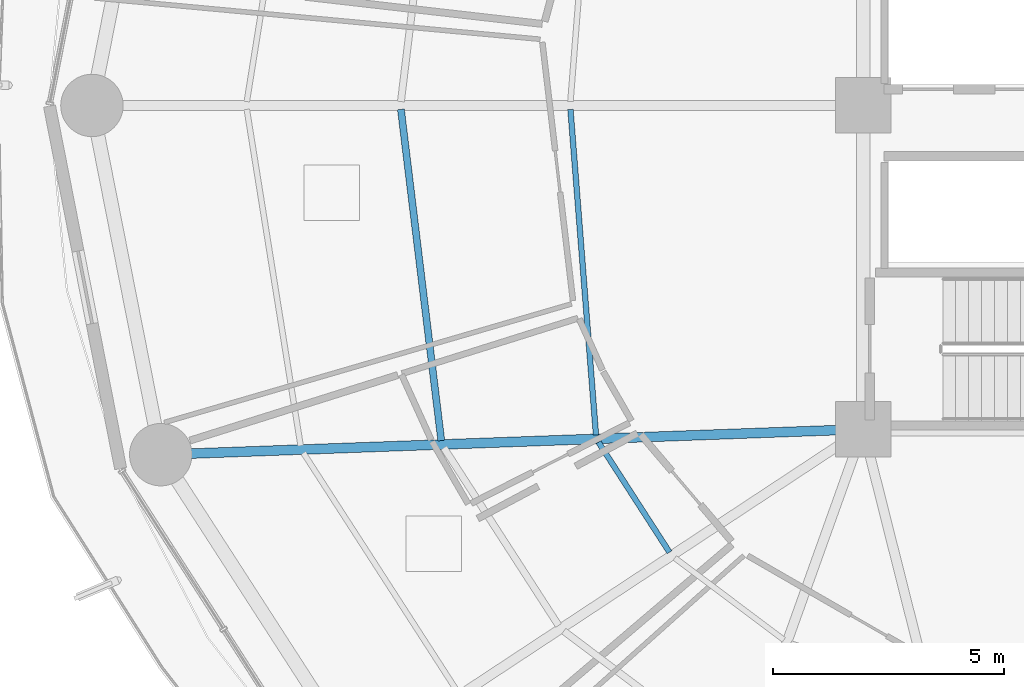
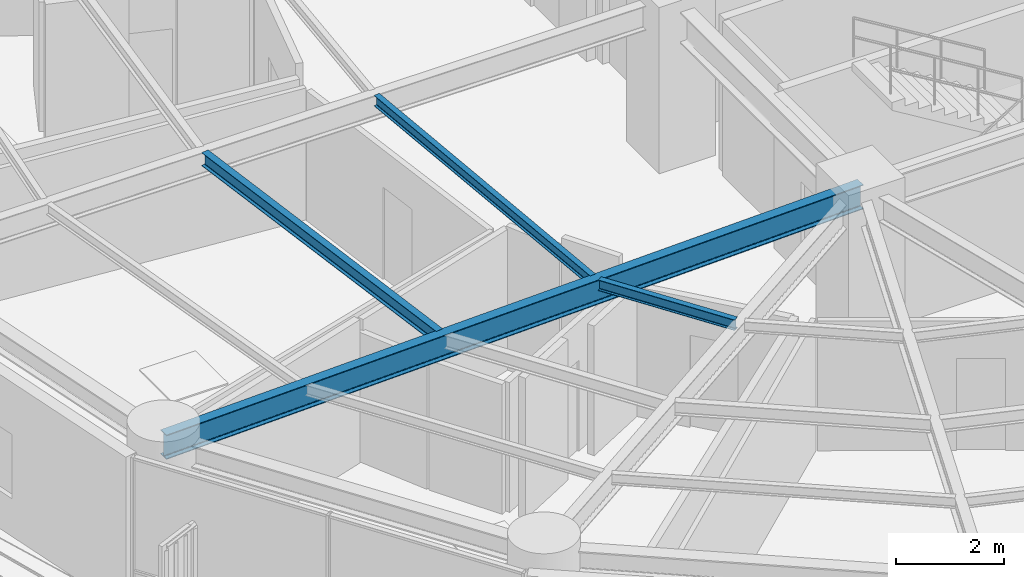
# One storey, part 7 of 37: 4 beams.
"""IFC4 building model written with IfcOpenShell, lengths in metres."""

from ifc_helpers import new_model, si_unit, direction, frame, origin, origin_2d, place, context, subcontext, project, spatial, i_section, extrude, material, material_profile, profile_set, type_object, element, save


model = new_model("IFC4")

# Units and contexts
model_context = context("Model", 3, precision=1e-05, world=origin(), true_north=direction((0.0, 1.0)))
body_context = subcontext(model_context, "Body", "Model", "MODEL_VIEW")
ifc_project = project(units=[si_unit("LENGTHUNIT", "METRE"), si_unit("AREAUNIT", "SQUARE_METRE"), si_unit("VOLUMEUNIT", "CUBIC_METRE"), si_unit("PLANEANGLEUNIT", "RADIAN"), si_unit("MASSUNIT", "GRAM", prefix="KILO")], contexts=[model_context])

# Site, building, storey
site_placement = place(None, origin())
site = spatial("IfcSite", under=ifc_project, at=site_placement, CompositionType="ELEMENT")
building_placement = place(site_placement, origin())
building = spatial("IfcBuilding", under=site, at=building_placement, Name="Kelanora Arch Commons", CompositionType="ELEMENT")
storey_placement = place(building_placement, frame((0.0, 0.0, 113.85009765625)))
storey = spatial("IfcBuildingStorey", under=building, at=storey_placement, Name="L29", CompositionType="ELEMENT", Elevation=113.85009765625)

# Beams
ifc_material = material(Name="Steel S355", Category="steel")
ifc_material_profile_1 = material_profile(ifc_material, i_section(OverallWidth=0.14990234375, OverallDepth=0.300048828125, WebThickness=0.007080078125, FlangeThickness=0.0107421875, FilletRadius=0.014892578125, at=origin_2d()), Name="IPE300")
ifc_profile_set_1 = profile_set([ifc_material_profile_1], Name="Steel S355")
beam_type_1 = type_object("IfcBeamType", Name="BM-JST-01", PredefinedType="JOIST", material=ifc_profile_set_1)
beam_1_placement = place(storey_placement, frame((56.002197265625, 57.91552734375, 3.33984375), z_axis=(0.120935645266, -0.992660349618, 0.0), x_axis=(0.992660349618, 0.120935645266, 0.0)))
element("IfcBeam", 1, at=beam_1_placement, inside=storey, type_object=beam_type_1, Name="Secondary Chord Joist BJB-18 L29", PredefinedType="JOIST", context=body_context, shape_type="SweptSolid", body=[
    extrude(i_section(OverallWidth=0.14990234375, OverallDepth=0.300048828125, WebThickness=0.007080078125, FlangeThickness=0.0107421875, FilletRadius=0.014892578125, at=origin_2d()), origin(), (0.0, 0.0, 1.0), 7.215087890625),
])
ifc_material_profile_2 = material_profile(ifc_material, i_section(OverallWidth=0.1201171875, OverallDepth=0.239990234375, WebThickness=0.006103515625, FlangeThickness=0.009765625, FilletRadius=0.014892578125, at=origin_2d()), Name="IPE240")
ifc_profile_set_2 = profile_set([ifc_material_profile_2], Name="Steel S355")
beam_type_2 = type_object("IfcBeamType", Name="BM-JST-02", PredefinedType="JOIST", material=ifc_profile_set_2)
beam_2_placement = place(storey_placement, frame((59.668212890625, 57.915283203125, 3.369873046875), z_axis=(0.078200677502, -0.996937637989, 0.0), x_axis=(0.996937637989, 0.078200677502, 0.0)))
element("IfcBeam", 2, at=beam_2_placement, inside=storey, type_object=beam_type_2, Name="Secondary Chord Joist BJA-18 L29", PredefinedType="JOIST", context=body_context, shape_type="SweptSolid", body=[
    extrude(i_section(OverallWidth=0.1201171875, OverallDepth=0.239990234375, WebThickness=0.006103515625, FlangeThickness=0.009765625, FilletRadius=0.014892578125, at=origin_2d()), origin(), (0.0, 0.0, 1.0), 7.06201171875),
])
beam_3_placement = place(storey_placement, frame((60.273193359375, 50.718994140625, 3.369873046875), z_axis=(0.542211255502, -0.840242199849, 0.0), x_axis=(0.840242199849, 0.542211255502, 0.0)))
element("IfcBeam", 3, at=beam_3_placement, inside=storey, type_object=beam_type_2, Name="Secondary Chord Joist BJA-20 L29", PredefinedType="JOIST", context=body_context, shape_type="SweptSolid", body=[
    extrude(i_section(OverallWidth=0.1201171875, OverallDepth=0.239990234375, WebThickness=0.006103515625, FlangeThickness=0.009765625, FilletRadius=0.014892578125, at=origin_2d()), origin(), (0.0, 0.0, 1.0), 2.83349609375),
])
ifc_material_profile_3 = material_profile(ifc_material, i_section(OverallWidth=0.2099609375, OverallDepth=0.550048828125, WebThickness=0.010986328125, FlangeThickness=0.01708984375, FilletRadius=0.02392578125, at=origin_2d()), Name="IPE550")
ifc_profile_set_3 = profile_set([ifc_material_profile_3], Name="Steel S355")
beam_type_3 = type_object("IfcBeamType", Name="BM-RAD-Z2", PredefinedType="BEAM", material=ifc_profile_set_3)
beam_4_placement = place(storey_placement, frame((66.0, 51.0, 3.21484375), z_axis=(-0.999341087625, -0.036295875581, 0.0), x_axis=(0.036295875581, -0.999341087625, 0.0)))
element("IfcBeam", 4, at=beam_4_placement, inside=storey, type_object=beam_type_3, Name="Radial Floor Girder BR-20 L29", PredefinedType="BEAM", context=body_context, shape_type="SweptSolid", body=[
    extrude(i_section(OverallWidth=0.2099609375, OverallDepth=0.550048828125, WebThickness=0.010986328125, FlangeThickness=0.01708984375, FilletRadius=0.02392578125, at=origin_2d()), origin(), (0.0, 0.0, 1.0), 15.20166015625),
])

save(model, "model.ifc")
